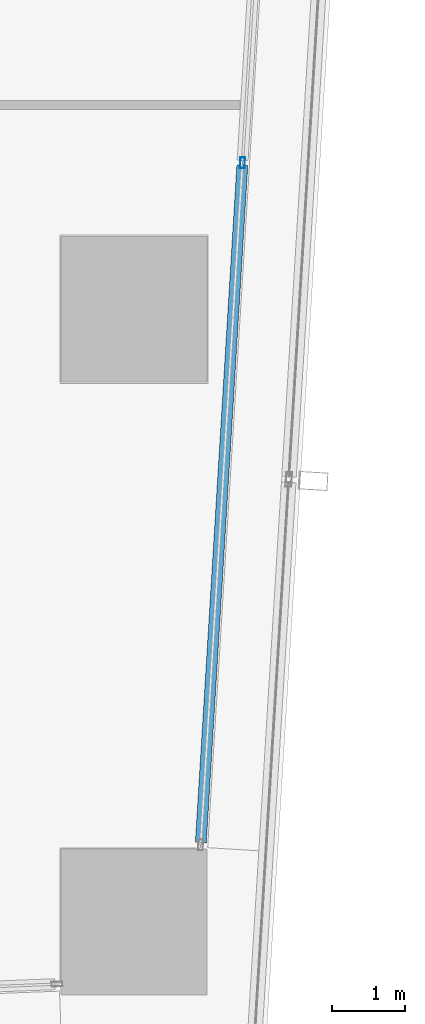
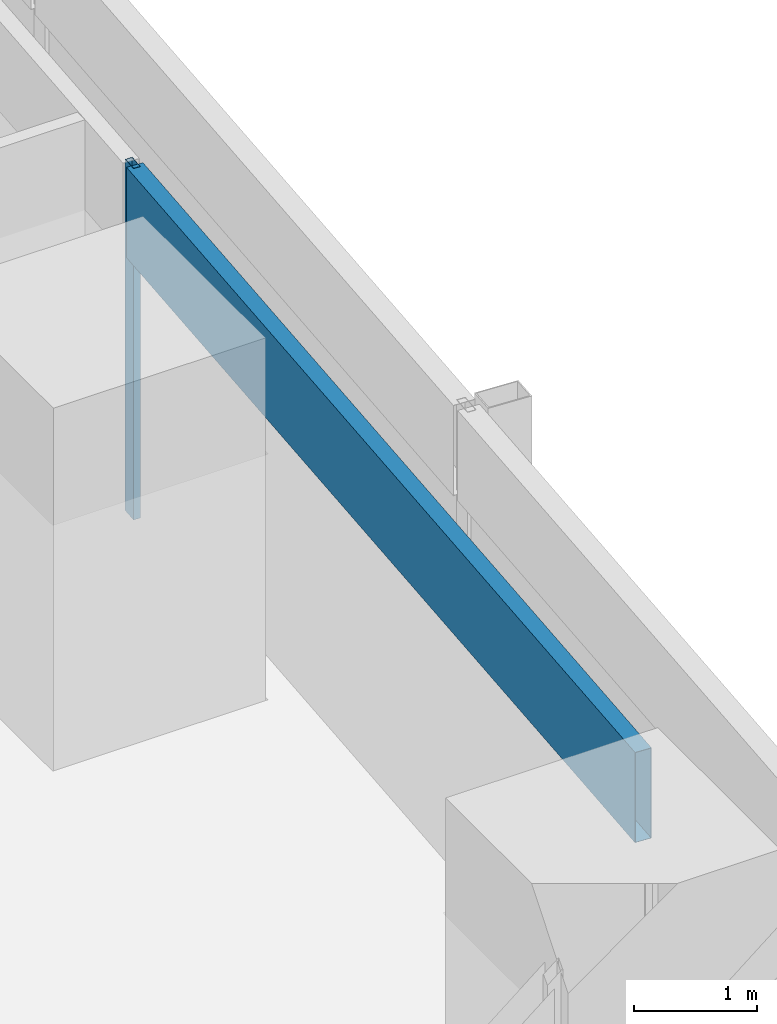
# One storey, part 13 of 39: 2 members, 1 element without a shape of its own.
"""IFC4 building model written with IfcOpenShell, lengths in metres."""

import ifcopenshell
import ifcopenshell.guid

model = None  # the IFC model being written
_history = None  # IfcOwnerHistory: only IFC2X3 demands one
_inside = {}  # id of a spatial element -> (the spatial element, [elements in it])
_under = {}  # id of a project, library or spatial element -> (it, [spatial elements below it])
_declared = {}  # id of a project -> (the project, [libraries it declares])
_typed = {}  # id of a type object -> (the type object, [elements of that type])
_made_of = {}  # id of a material, layer set ... -> (it, [elements and type objects made of it])


def new_model(schema):
    """Start an empty IFC model of exactly this schema.

    Asked for "IFC4X3", IfcOpenShell would pick the latest addendum, in which some entities
    have other attributes; the version numbers below select the first issue.
    IFC2X3 requires an IfcOwnerHistory on every rooted entity: one is made here for all.
    """
    global model, _history
    if schema == "IFC4X3":
        model = ifcopenshell.file(schema_version=(4, 3, 0, 0))
    else:
        model = ifcopenshell.file(schema=schema)
    _inside.clear()
    _under.clear()
    _declared.clear()
    _typed.clear()
    _made_of.clear()
    _history = None
    if model.schema == "IFC2X3":
        org = make("IfcOrganization", Name="unknown")
        user = make(
            "IfcPersonAndOrganization",
            ThePerson=make("IfcPerson", FamilyName="unknown"),
            TheOrganization=org,
        )
        app = make(
            "IfcApplication",
            ApplicationDeveloper=org,
            Version="unknown",
            ApplicationFullName="unknown",
            ApplicationIdentifier="unknown",
        )
        _history = make(
            "IfcOwnerHistory",
            OwningUser=user,
            OwningApplication=app,
            ChangeAction="ADDED",
            CreationDate=0,
        )
    return model


def make(cls, **values):
    """One entity of the class cls with the attributes given. An attribute that is None is left unset."""
    return model.create_entity(
        cls, **{name: value for name, value in values.items() if value is not None}
    )


def rooted(cls, **values):
    """An entity with a GlobalId (a new one), such as an element, a storey or a relation."""
    return make(cls, GlobalId=ifcopenshell.guid.new(), OwnerHistory=_history, **values)


def si_unit(unit_type, name, prefix=None):
    """IfcSIUnit, for example si_unit("LENGTHUNIT", "METRE", prefix="MILLI")."""
    return make("IfcSIUnit", UnitType=unit_type, Prefix=prefix, Name=name)


def assignment(units):
    """IfcUnitAssignment: the units of a project."""
    return None if units is None else make("IfcUnitAssignment", Units=units)


def point(xyz):
    """IfcCartesianPoint."""
    return None if xyz is None else make("IfcCartesianPoint", Coordinates=xyz)


def direction(xyz):
    """IfcDirection."""
    return None if xyz is None else make("IfcDirection", DirectionRatios=xyz)


def frame(location, z_axis=None, x_axis=None):
    """IfcAxis2Placement3D, a coordinate frame: its origin and axes. An axis left out is left unset."""
    return make(
        "IfcAxis2Placement3D",
        Location=point(location),
        Axis=direction(z_axis),
        RefDirection=direction(x_axis),
    )


def frame_2d(location, x_axis=None):
    """IfcAxis2Placement2D, a coordinate frame in the plane: its origin and x axis."""
    return make(
        "IfcAxis2Placement2D", Location=point(location), RefDirection=direction(x_axis)
    )


def origin():
    """The frame at (0, 0, 0) with its axes left unset."""
    return frame((0.0, 0.0, 0.0))


def origin_2d():
    """The frame at (0, 0) in the plane with its x axis left unset."""
    return frame_2d((0.0, 0.0))


def place(relative_to, where):
    """IfcLocalPlacement: puts the frame where relative to a parent placement (None: the world)."""
    return make(
        "IfcLocalPlacement", PlacementRelTo=relative_to, RelativePlacement=where
    )


def context(
    kind, dimensions, precision=None, world=None, true_north=None, identifier=None
):
    """IfcGeometricRepresentationContext, for example the 3D "Model" context."""
    return make(
        "IfcGeometricRepresentationContext",
        ContextIdentifier=identifier,
        ContextType=kind,
        CoordinateSpaceDimension=dimensions,
        Precision=precision,
        WorldCoordinateSystem=world,
        TrueNorth=true_north,
    )


def subcontext(parent, identifier, kind, view, scale=None):
    """IfcGeometricRepresentationSubContext, for example "Body" below "Model"."""
    return make(
        "IfcGeometricRepresentationSubContext",
        ContextIdentifier=identifier,
        ContextType=kind,
        ParentContext=parent,
        TargetScale=scale,
        TargetView=view,
    )


def project(units=None, contexts=None):
    """IfcProject with its units and contexts."""
    return rooted(
        "IfcProject",
        Name="project",
        RepresentationContexts=contexts,
        UnitsInContext=assignment(units),
    )


def spatial(cls, under=None, at=None, **own):
    """A site, building, storey or space (cls), placed at a placement, below another one or the project."""
    s = rooted(cls, ObjectPlacement=at, **own)
    if under is not None:
        _under.setdefault(under.id(), (under, []))[1].append(s)
    return s


def profile(cls, at=None, kind="AREA", **sizes):
    """A parametric profile (cls). Its sizes go by their IFC names, for example OverallWidth=200.0."""
    return make(cls, ProfileType=kind, Position=at, **sizes)


def hollow_rectangle(**sizes):
    """IfcRectangleHollowProfileDef."""
    return profile("IfcRectangleHollowProfileDef", **sizes)


def extrude(swept, where, along, depth):
    """IfcExtrudedAreaSolid: the profile swept, set in the frame where, extruded along a direction by depth."""
    return make(
        "IfcExtrudedAreaSolid",
        SweptArea=swept,
        Position=where,
        ExtrudedDirection=direction(along),
        Depth=depth,
    )


def shape(context_of_items, identifier, shape_type, items):
    """IfcShapeRepresentation: the items that make up one representation, for example the "Body"."""
    return make(
        "IfcShapeRepresentation",
        ContextOfItems=context_of_items,
        RepresentationIdentifier=identifier,
        RepresentationType=shape_type,
        Items=items,
    )


def material(Name=None, Category=None):
    """IfcMaterial."""
    return make("IfcMaterial", Name=Name, Category=Category)


def material_profile(
    of_material, cross_section, Name=None, Category=None, Priority=None
):
    """IfcMaterialProfile: a cross section and its material."""
    return make(
        "IfcMaterialProfile",
        Name=Name,
        Material=of_material,
        Profile=cross_section,
        Priority=Priority,
        Category=Category,
    )


def profile_set(profiles, Name=None, composite=None):
    """IfcMaterialProfileSet."""
    return make(
        "IfcMaterialProfileSet",
        Name=Name,
        MaterialProfiles=profiles,
        CompositeProfile=composite,
    )


def made_of(thing, what):
    """Note that an element or type object is made of a material, layer set ...; save() writes the relation."""
    if what is not None:
        _made_of.setdefault(what.id(), (what, []))[1].append(thing)
    return thing


def type_object(cls, material=None, **own):
    """A type object (cls), such as IfcWallType, which elements share."""
    return made_of(rooted(cls, **own), material)


def element(
    cls,
    number,
    at=None,
    inside=None,
    cuts=None,
    type_object=None,
    material=None,
    context=None,
    identifier="Body",
    shape_type=None,
    held_by="IfcProductDefinitionShape",
    body=None,
    shapes=None,
    **own,
):
    """One element of the class cls, such as IfcWall. Its Tag is "e" and its number.

    at: its placement. inside: the storey or other place that contains it. cuts: it is an
    opening in that element (IfcRelVoidsElement). A single representation is given by context,
    identifier, shape_type and body (its items); several are given by shapes. held_by: the class
    of the entity that holds the representations. save() writes the other relations.
    """
    e = rooted(cls, Tag="e%d" % number, ObjectPlacement=at, **own)
    if body is not None:
        shapes = [shape(context, identifier, shape_type, body)]
    if shapes is not None:
        e.Representation = make(held_by, Representations=shapes)
    if inside is not None:
        _inside.setdefault(inside.id(), (inside, []))[1].append(e)
    if cuts is not None:
        rooted(
            "IfcRelVoidsElement", RelatingBuildingElement=cuts, RelatedOpeningElement=e
        )
    if type_object is not None:
        _typed.setdefault(type_object.id(), (type_object, []))[1].append(e)
    return made_of(e, material)


def aggregate(whole, parts):
    """IfcRelAggregates: a whole, such as a stair, and the parts it consists of."""
    return rooted("IfcRelAggregates", RelatingObject=whole, RelatedObjects=parts)


def save(model, path):
    """Write the relations noted so far, then the file.

    IfcRelAggregates (storeys below a building ...), IfcRelContainedInSpatialStructure (elements
    in a storey), IfcRelDefinesByType, IfcRelAssociatesMaterial and IfcRelDeclares: one each for
    every whole, place, type object, material and project.
    """
    for whole, parts in _under.values():
        aggregate(whole, parts)
    for where, things in _inside.values():
        rooted(
            "IfcRelContainedInSpatialStructure",
            RelatedElements=things,
            RelatingStructure=where,
        )
    for kind, things in _typed.values():
        rooted("IfcRelDefinesByType", RelatedObjects=things, RelatingType=kind)
    for what, things in _made_of.values():
        rooted("IfcRelAssociatesMaterial", RelatedObjects=things, RelatingMaterial=what)
    for by, libraries in _declared.values():
        rooted("IfcRelDeclares", RelatingContext=by, RelatedDefinitions=libraries)
    model.write(path)


model = new_model("IFC4")

# Units and contexts
model_context = context("Model", 3, precision=1e-05, world=origin(), true_north=direction((0.0, 1.0)))
body_context = subcontext(model_context, "Body", "Model", "MODEL_VIEW")
ifc_project = project(units=[si_unit("LENGTHUNIT", "METRE"), si_unit("AREAUNIT", "SQUARE_METRE"), si_unit("VOLUMEUNIT", "CUBIC_METRE"), si_unit("PLANEANGLEUNIT", "RADIAN"), si_unit("MASSUNIT", "GRAM", prefix="KILO")], contexts=[model_context])

# Site, building, storey
site_placement = place(None, origin())
site = spatial("IfcSite", under=ifc_project, at=site_placement, CompositionType="ELEMENT")
building_placement = place(site_placement, origin())
building = spatial("IfcBuilding", under=site, at=building_placement, Name="Rekha Terrace Tower", CompositionType="ELEMENT")
storey_placement = place(building_placement, frame((0.0, 0.0, 147.800048828125)))
storey = spatial("IfcBuildingStorey", under=building, at=storey_placement, Name="L37", CompositionType="ELEMENT", Elevation=147.800048828125)

# Curtain wall, members
ifc_material_1 = material(Name="Aluminium framing", Category="aluminium")
curtain_wall_type = type_object("IfcCurtainWallType", Name="CW1 double skin inner glazing", PredefinedType="USERDEFINED", material=ifc_material_1)
curtain_wall_placement = place(storey_placement, origin())
curtain_wall = element("IfcCurtainWall", 1, at=curtain_wall_placement, inside=storey, type_object=curtain_wall_type, Name="CW1 double skin inner glazing", ObjectType="DOUBLE SKIN INNER GLAZING", PredefinedType="USERDEFINED")
ifc_material_2 = material(Name="Aluminium mullion section", Category="aluminium")
ifc_material_profile_1 = material_profile(ifc_material_2, hollow_rectangle(XDim=0.06494140625, YDim=0.14990234375, WallThickness=0.00390625, at=origin_2d()), Name="AL RHS 65x150")
ifc_profile_set_1 = profile_set([ifc_material_profile_1], Name="Aluminium mullion section")
member_type_1 = type_object("IfcMemberType", Name="CW1 mullion RHS 65 x 150", PredefinedType="MULLION", material=ifc_profile_set_1)
member_1_placement = place(storey_placement, frame((68.68603515625, 27.20751953125, 0.0), z_axis=(0.0, 0.0, 1.0), x_axis=(-0.998127987024, 0.061159803131, 0.0)))
member_1 = element("IfcMember", 2, at=member_1_placement, type_object=member_type_1, Name="CW1 mullion 2", PredefinedType="MULLION", context=body_context, shape_type="SweptSolid", body=[
    extrude(hollow_rectangle(XDim=0.06494140625, YDim=0.14990234375, WallThickness=0.00390625, at=origin_2d()), origin(), (0.0, 0.0, 1.0), 3.5),
])
ifc_material_3 = material(Name="Insulated aluminium spandrel box", Category="aluminium")
ifc_material_profile_2 = material_profile(ifc_material_3, hollow_rectangle(XDim=0.14990234375, YDim=0.89990234375, WallThickness=0.0029296875, at=origin_2d()), Name="AL SPANDREL BOX 150x900")
ifc_profile_set_2 = profile_set([ifc_material_profile_2], Name="Insulated aluminium spandrel box")
member_type_2 = type_object("IfcMemberType", Name="CW1 spandrel transom 150 x 900", PredefinedType="USERDEFINED", material=ifc_profile_set_2)
member_2_placement = place(storey_placement, frame((68.115234375, 17.890380859375, 3.050048828125), z_axis=(0.061152753515, 0.998128418961, 0.0), x_axis=(-0.998128418961, 0.061152753515, 0.0)))
member_2 = element("IfcMember", 3, at=member_2_placement, type_object=member_type_2, Name="CW1 spandrel transom 1", ObjectType="TRANSOM", PredefinedType="USERDEFINED", context=body_context, shape_type="SweptSolid", body=[
    extrude(hollow_rectangle(XDim=0.14990234375, YDim=0.89990234375, WallThickness=0.0029296875, at=origin_2d()), origin(), (0.0, 0.0, 1.0), 9.302001953125),
])
aggregate(curtain_wall, [member_1, member_2])

save(model, "model.ifc")
